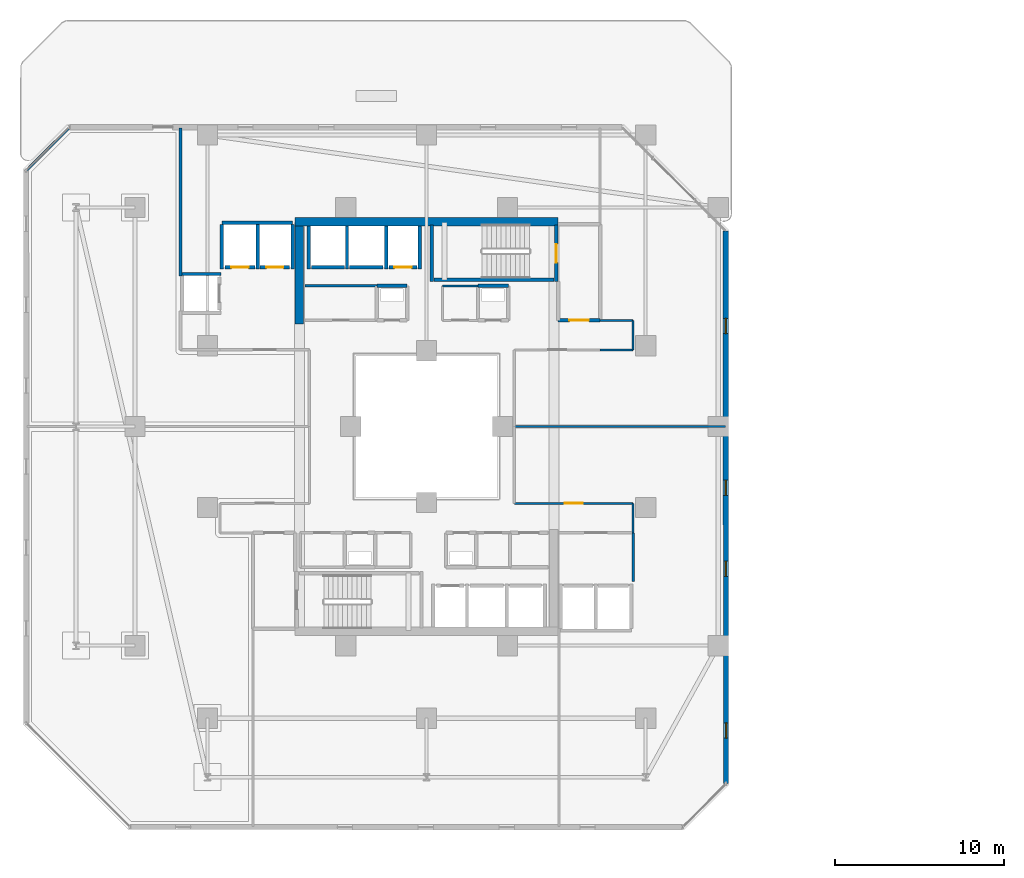
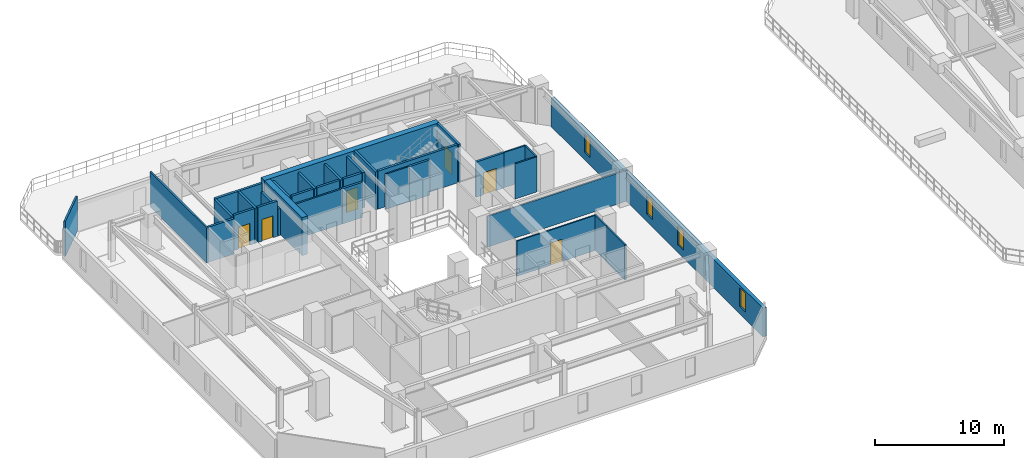
# One storey, part 20 of 31: 34 walls, 6 doors, 4 windows, 10 openings.
"""IFC4 building model written with IfcOpenShell, lengths in metres."""

from ifc_helpers import new_model, si_unit, direction, frame, frame_2d, origin, place, context, subcontext, project, spatial, rectangle, extrude, material, layer, layer_set, type_object, element, fill, save


model = new_model("IFC4")

# Units and contexts
model_context = context("Model", 3, precision=1e-05, world=origin(), true_north=direction((0.0, 1.0)))
body_context = subcontext(model_context, "Body", "Model", "MODEL_VIEW")
ifc_project = project(units=[si_unit("LENGTHUNIT", "METRE"), si_unit("AREAUNIT", "SQUARE_METRE"), si_unit("VOLUMEUNIT", "CUBIC_METRE"), si_unit("PLANEANGLEUNIT", "RADIAN"), si_unit("MASSUNIT", "GRAM", prefix="KILO")], contexts=[model_context])

# Site, building, storey
site_placement = place(None, origin())
site = spatial("IfcSite", under=ifc_project, at=site_placement, CompositionType="ELEMENT")
building_placement = place(site_placement, origin())
building = spatial("IfcBuilding", under=site, at=building_placement, Name="Thornwick Lancets Civic Towers", CompositionType="ELEMENT")
storey_placement = place(building_placement, frame((0.0, 0.0, 119.699951171875)))
storey = spatial("IfcBuildingStorey", under=building, at=storey_placement, Name="L31", CompositionType="ELEMENT", Elevation=119.699951171875)

# Wall, opening, door
ifc_material_1 = material(Name="Concrete blockwork C40/50", Category="masonry")
ifc_layer_1 = layer(ifc_material_1, 0.199951171875, Name="Concrete blockwork C40/50")
ifc_layer_set_1 = layer_set([ifc_layer_1], Name="Concrete blockwork C40/50")
wall_type_1 = type_object("IfcWallType", Name="WALL_COMP_200", PredefinedType="STANDARD", material=ifc_layer_set_1)
wall_1_placement = place(storey_placement, frame((24.919921875, 36.449951171875, 0.0), z_axis=(0.0, 0.0, 1.0), x_axis=(-1.0, 0.0, 0.0)))
wall_1 = element("IfcWall", 1, at=wall_1_placement, inside=storey, type_object=wall_type_1, Name="L31 Hoistway Front Wall FL-A2", PredefinedType="STANDARD", context=body_context, shape_type="SweptSolid", body=[
    extrude(rectangle(XDim=1.639892578125, YDim=0.199951171875, at=frame_2d((0.81982421875, 0.0))), origin(), (0.0, 0.0, 1.0), 3.320068359375),
])
opening_1_placement = place(wall_1_placement, frame((0.31005859375, 0.0, 0.0)))
opening_1 = element("IfcOpeningElement", 2, at=opening_1_placement, cuts=wall_1, Name="Opening LD-FL-A2", PredefinedType="OPENING", context=body_context, shape_type="SweptSolid", body=[
    extrude(rectangle(XDim=1.02001953125, YDim=2.06005859375, at=frame_2d((0.510009765625, 1.030029296875))), frame((0.0, 0.10986328125, 0.0), z_axis=(0.0, -1.0, 0.0), x_axis=(1.0, 0.0, 0.0)), (0.0, 0.0, 1.0), 0.219970703125),
])
ifc_material_2 = material(Name="Brushed bronze stainless steel", Category="steel")
door_type_1 = type_object("IfcDoorType", Name="DOOR_LIFT_SLIDE", OperationType="SLIDING_TO_LEFT", PredefinedType="DOOR", material=ifc_material_2)
door_1_placement = place(opening_1_placement, origin())
door_1 = element("IfcDoor", 3, at=door_1_placement, inside=storey, type_object=door_type_1, Name="L31 Sliding Lift Landing Door LD-FL-A2", OperationType="SLIDING_TO_LEFT", OverallHeight=2.06005859375, OverallWidth=1.02001953125, PredefinedType="DOOR", context=body_context, shape_type="SweptSolid", body=[
    extrude(rectangle(XDim=1.02001953125, YDim=2.06005859375, at=frame_2d((0.510009765625, 1.030029296875))), frame((0.0, 0.02490234375, 0.0), z_axis=(0.0, -1.0, 0.0), x_axis=(1.0, 0.0, 0.0)), (0.0, 0.0, 1.0), 0.050048828125),
])
fill(opening_1, door_1)

# Walls
wall_2_placement = place(storey_placement, frame((22.919921875, 36.449951171875, 0.0), z_axis=(0.0, 0.0, 1.0), x_axis=(-1.0, 0.0, 0.0)))
element("IfcWall", 4, at=wall_2_placement, inside=storey, type_object=wall_type_1, Name="L31 Hoistway Front Wall PL-AH2", PredefinedType="STANDARD", context=body_context, shape_type="SweptSolid", body=[
    extrude(rectangle(XDim=1.989990234375, YDim=0.199951171875, at=frame_2d((0.9951171875, 0.0))), origin(), (0.0, 0.0, 1.0), 3.320068359375),
])
wall_3_placement = place(storey_placement, frame((20.6201171875, 36.449951171875, 0.0), z_axis=(0.0, 0.0, 1.0), x_axis=(-1.0, 0.0, 0.0)))
element("IfcWall", 5, at=wall_3_placement, inside=storey, type_object=wall_type_1, Name="L31 Hoistway Front Wall PL-AH3", PredefinedType="STANDARD", context=body_context, shape_type="SweptSolid", body=[
    extrude(rectangle(XDim=1.940185546875, YDim=0.199951171875, at=frame_2d((0.97021484375, 0.0))), origin(), (0.0, 0.0, 1.0), 3.320068359375),
])

# Wall, opening, door
wall_4_placement = place(storey_placement, frame((17.3701171875, 36.449951171875, 0.0), z_axis=(0.0, 0.0, 1.0), x_axis=(-1.0, 0.0, 0.0)))
wall_4 = element("IfcWall", 6, at=wall_4_placement, inside=storey, type_object=wall_type_1, Name="L31 Hoistway Front Wall PL-AM1", PredefinedType="STANDARD", context=body_context, shape_type="SweptSolid", body=[
    extrude(rectangle(XDim=1.740234375, YDim=0.199951171875, at=frame_2d((0.8701171875, 0.0))), origin(), (0.0, 0.0, 1.0), 3.320068359375),
])
opening_2_placement = place(wall_4_placement, frame((0.360107421875, 0.0, 0.0)))
opening_2 = element("IfcOpeningElement", 7, at=opening_2_placement, cuts=wall_4, Name="Opening LD-PL-AM1", PredefinedType="OPENING", context=body_context, shape_type="SweptSolid", body=[
    extrude(rectangle(XDim=1.02001953125, YDim=2.06005859375, at=frame_2d((0.510009765625, 1.030029296875))), frame((0.0, 0.10986328125, 0.0), z_axis=(0.0, -1.0, 0.0), x_axis=(1.0, 0.0, 0.0)), (0.0, 0.0, 1.0), 0.219970703125),
])
door_2_placement = place(opening_2_placement, origin())
door_2 = element("IfcDoor", 8, at=door_2_placement, inside=storey, type_object=door_type_1, Name="L31 Sliding Lift Landing Door LD-PL-AM1", OperationType="SLIDING_TO_LEFT", OverallHeight=2.06005859375, OverallWidth=1.02001953125, PredefinedType="DOOR", context=body_context, shape_type="SweptSolid", body=[
    extrude(rectangle(XDim=1.02001953125, YDim=2.06005859375, at=frame_2d((0.510009765625, 1.030029296875))), frame((0.0, 0.02490234375, 0.0), z_axis=(0.0, -1.0, 0.0), x_axis=(1.0, 0.0, 0.0)), (0.0, 0.0, 1.0), 0.050048828125),
])
fill(opening_2, door_2)

wall_5_placement = place(storey_placement, frame((15.320068359375, 36.449951171875, 0.0), z_axis=(0.0, 0.0, 1.0), x_axis=(-1.0, 0.0, 0.0)))
wall_5 = element("IfcWall", 9, at=wall_5_placement, inside=storey, type_object=wall_type_1, Name="L31 Hoistway Front Wall PL-AM2", PredefinedType="STANDARD", context=body_context, shape_type="SweptSolid", body=[
    extrude(rectangle(XDim=1.7900390625, YDim=0.199951171875, at=frame_2d((0.89501953125, 0.0))), origin(), (0.0, 0.0, 1.0), 3.320068359375),
])
opening_3_placement = place(wall_5_placement, frame((0.385009765625, 0.0, 0.0)))
opening_3 = element("IfcOpeningElement", 10, at=opening_3_placement, cuts=wall_5, Name="Opening LD-PL-AM2", PredefinedType="OPENING", context=body_context, shape_type="SweptSolid", body=[
    extrude(rectangle(XDim=1.02001953125, YDim=2.06005859375, at=frame_2d((0.510009765625, 1.030029296875))), frame((0.0, 0.10986328125, 0.0), z_axis=(0.0, -1.0, 0.0), x_axis=(1.0, 0.0, 0.0)), (0.0, 0.0, 1.0), 0.219970703125),
])
door_3_placement = place(opening_3_placement, origin())
door_3 = element("IfcDoor", 11, at=door_3_placement, inside=storey, type_object=door_type_1, Name="L31 Sliding Lift Landing Door LD-PL-AM2", OperationType="SLIDING_TO_LEFT", OverallHeight=2.06005859375, OverallWidth=1.02001953125, PredefinedType="DOOR", context=body_context, shape_type="SweptSolid", body=[
    extrude(rectangle(XDim=1.02001953125, YDim=2.06005859375, at=frame_2d((0.510009765625, 1.030029296875))), frame((0.0, 0.02490234375, 0.0), z_axis=(0.0, -1.0, 0.0), x_axis=(1.0, 0.0, 0.0)), (0.0, 0.0, 1.0), 0.050048828125),
])
fill(opening_3, door_3)

# Walls
for number, where, z_axis, x_axis, name in (
    (12, (25.10009765625, 36.35205078125, 0.0), (0.0, 0.0, 1.0), (0.0, 1.0, 0.0), "L31 Hoistway Shaft Wall FL-A2 E"),
    (13, (23.10009765625, 36.35205078125, 0.0), (0.0, 0.0, 1.0), (0.0, 1.0, 0.0), "L31 Hoistway Shaft Wall FL-A2 W"),
    (14, (20.77490234375, 36.35205078125, 0.0), (0.0, 0.0, 1.0), (0.0, 1.0, 0.0), "L31 Hoistway Shaft Wall PL-AH2 W"),
    (15, (18.5, 36.35205078125, 0.0), (0.0, 0.0, 1.0), (0.0, 1.0, 0.0), "L31 Hoistway Shaft Wall PL-AH3 W"),
):
    element("IfcWall", number, at=place(storey_placement, frame(where, z_axis=z_axis, x_axis=x_axis)), inside=storey, type_object=wall_type_1, Name=name, PredefinedType="STANDARD", context=body_context, shape_type="SweptSolid", body=[
        extrude(rectangle(XDim=2.535888671875, YDim=0.199951171875, at=frame_2d((1.26806640625, 0.0))), origin(), (0.0, 0.0, 1.0), 3.320068359375),
    ])
wall_6_placement = place(storey_placement, frame((13.35205078125, 39.10009765625, 0.0), z_axis=(0.0, 0.0, 1.0), x_axis=(1.0, 0.0, 0.0)))
element("IfcWall", 16, at=wall_6_placement, inside=storey, type_object=wall_type_1, Name="L31 Hoistway Shaft Wall PL-AM1 N", PredefinedType="STANDARD", context=body_context, shape_type="SweptSolid", body=[
    extrude(rectangle(XDim=4.196044921875, YDim=0.199951171875, at=frame_2d((2.09814453125, 0.0))), origin(), (0.0, 0.0, 1.0), 3.320068359375),
])
wall_7_placement = place(storey_placement, frame((17.550048828125, 36.35205078125, 0.0), z_axis=(0.0, 0.0, 1.0), x_axis=(0.0, 1.0, 0.0)))
element("IfcWall", 17, at=wall_7_placement, inside=storey, type_object=wall_type_1, Name="L31 Hoistway Shaft Wall PL-AM1 E", PredefinedType="STANDARD", context=body_context, shape_type="SweptSolid", body=[
    extrude(rectangle(XDim=2.635986328125, YDim=0.199951171875, at=frame_2d((1.31787109375, 0.0))), origin(), (0.0, 0.0, 1.0), 2.525146484375),
])
for number, where, z_axis, x_axis, name in (
    (18, (15.47509765625, 36.35205078125, 0.0), (0.0, 0.0, 1.0), (0.0, 1.0, 0.0), "L31 Hoistway Shaft Wall PL-AM1 W"),
    (19, (13.35009765625, 36.35205078125, 0.0), (0.0, 0.0, 1.0), (0.0, 1.0, 0.0), "L31 Hoistway Shaft Wall PL-AM2 W"),
):
    element("IfcWall", number, at=place(storey_placement, frame(where, z_axis=z_axis, x_axis=x_axis)), inside=storey, type_object=wall_type_1, Name=name, PredefinedType="STANDARD", context=body_context, shape_type="SweptSolid", body=[
        extrude(rectangle(XDim=2.635986328125, YDim=0.199951171875, at=frame_2d((1.31787109375, 0.0))), origin(), (0.0, 0.0, 1.0), 3.320068359375),
    ])
wall_8_placement = place(storey_placement, frame((11.001953125, 36.050048828125, 0.0), z_axis=(0.0, 0.0, 1.0), x_axis=(1.0, 0.0, 0.0)))
element("IfcWall", 20, at=wall_8_placement, inside=storey, type_object=wall_type_1, Name="L31 Hoistway Shaft Wall PL-AM3 N", PredefinedType="STANDARD", context=body_context, shape_type="SweptSolid", body=[
    extrude(rectangle(XDim=2.296142578125, YDim=0.199951171875, at=frame_2d((1.14794921875, 0.0))), origin(), (0.0, 0.0, 1.0), 3.320068359375),
])

# Wall, opening, door
wall_9_placement = place(storey_placement, frame((33.300048828125, 33.300048828125, 0.0), z_axis=(0.0, 0.0, 1.0), x_axis=(1.0, 0.0, 0.0)))
wall_9 = element("IfcWall", 21, at=wall_9_placement, inside=storey, type_object=wall_type_1, Name="L31 Partition L31-A-FFLOB2 E1", PredefinedType="STANDARD", context=body_context, shape_type="SweptSolid", body=[
    extrude(rectangle(XDim=2.5, YDim=0.199951171875, at=frame_2d((1.25, 0.0))), origin(), (0.0, 0.0, 1.0), 3.320068359375),
])
opening_4_placement = place(wall_9_placement, frame((0.675048828125, 0.0, 0.0)))
opening_4 = element("IfcOpeningElement", 22, at=opening_4_placement, cuts=wall_9, Name="Opening D-L31-1420", PredefinedType="OPENING", context=body_context, shape_type="SweptSolid", body=[
    extrude(rectangle(XDim=1.14990234375, YDim=2.10009765625, at=frame_2d((0.574951171875, 1.050048828125))), frame((0.0, 0.10986328125, 0.0), z_axis=(0.0, -1.0, 0.0), x_axis=(1.0, 0.0, 0.0)), (0.0, 0.0, 1.0), 0.219970703125),
])
ifc_material_3 = material(Name="Glazed fire-resisting steel", Category="steel")
door_type_2 = type_object("IfcDoorType", Name="DOOR_LOBBY_FD60", OperationType="NOTDEFINED", PredefinedType="DOOR", material=ifc_material_3)
door_4_placement = place(opening_4_placement, origin())
door_4 = element("IfcDoor", 23, at=door_4_placement, inside=storey, type_object=door_type_2, Name="L31 North Firefighting Lobby 2 Door", OperationType="SINGLE_SWING_LEFT", OverallHeight=2.10009765625, OverallWidth=1.14990234375, PredefinedType="DOOR", context=body_context, shape_type="SweptSolid", body=[
    extrude(rectangle(XDim=1.14990234375, YDim=2.10009765625, at=frame_2d((0.574951171875, 1.050048828125))), frame((0.0, 0.02490234375, 0.0), z_axis=(0.0, -1.0, 0.0), x_axis=(1.0, 0.0, 0.0)), (0.0, 0.0, 1.0), 0.050048828125),
])
fill(opening_4, door_4)

# Walls
for number, where, z_axis, x_axis, name in (
    (24, (24.35009765625, 35.35009765625, 0.0), (0.0, 0.0, 1.0), (-1.0, 0.0, 0.0), "L31 Partition L31-A-DUCT2 E3"),
    (25, (30.35009765625, 35.35009765625, 0.0), (0.0, 0.0, 1.0), (-1.0, 0.0, 0.0), "L31 Partition L31-A-RISER2 E3"),
):
    element("IfcWall", number, at=place(storey_placement, frame(where, z_axis=z_axis, x_axis=x_axis)), inside=storey, type_object=wall_type_1, Name=name, PredefinedType="STANDARD", context=body_context, shape_type="SweptSolid", body=[
        extrude(rectangle(XDim=1.800048828125, YDim=0.199951171875, at=frame_2d((0.89990234375, 0.0))), origin(), (0.0, 0.0, 1.0), 3.320068359375),
    ])
ifc_material_4 = material(Name="Concrete C50/60", Category="concrete")
ifc_layer_2 = layer(ifc_material_4, 0.5, Name="Concrete C50/60")
ifc_layer_set_2 = layer_set([ifc_layer_2], Name="Concrete C50/60")
wall_type_2 = type_object("IfcWallType", Name="WALL_CORE_500", PredefinedType="SHEAR", material=ifc_layer_set_2)
wall_10_placement = place(storey_placement, frame((17.699951171875, 39.14990234375, 0.0), z_axis=(0.0, 0.0, 1.0), x_axis=(1.0, 0.0, 0.0)))
element("IfcWall", 26, at=wall_10_placement, inside=storey, type_object=wall_type_2, Name="L31 Split Core A2 Shear Wall N", PredefinedType="SHEAR", context=body_context, shape_type="SweptSolid", body=[
    extrude(rectangle(XDim=15.60009765625, YDim=0.5, at=frame_2d((7.800048828125, 0.0))), origin(), (0.0, 0.0, 1.0), 3.60009765625),
])
wall_11_placement = place(storey_placement, frame((17.949951171875, 33.10009765625, 0.0), z_axis=(0.0, 0.0, 1.0), x_axis=(0.0, 1.0, 0.0)))
element("IfcWall", 27, at=wall_11_placement, inside=storey, type_object=wall_type_2, Name="L31 Split Core A2 Shear Wall W", PredefinedType="SHEAR", context=body_context, shape_type="SweptSolid", body=[
    extrude(rectangle(XDim=5.7998046875, YDim=0.5, at=frame_2d((2.89990234375, 0.0))), origin(), (0.0, 0.0, 1.0), 3.60009765625),
])

# Wall, openings, windows
ifc_material_5 = material(Name="Insulated buff terracotta rainscreen on concrete C40/50", Category="masonry")
ifc_layer_3 = layer(ifc_material_5, 0.320068359375, Name="Insulated buff terracotta rainscreen on concrete C40/50")
ifc_layer_set_3 = layer_set([ifc_layer_3], Name="Insulated buff terracotta rainscreen on concrete C40/50")
wall_type_3 = type_object("IfcWallType", Name="WALL_EXT_TERRA_320", PredefinedType="STANDARD", material=ifc_layer_set_3)
wall_12_placement = place(storey_placement, frame((43.2646484375, 5.818603515625, 0.0), z_axis=(0.0, 0.0, 1.0), x_axis=(-0.000364968916, 0.999999933399, 0.0)))
wall_12 = element("IfcWall", 28, at=wall_12_placement, inside=storey, type_object=wall_type_3, Name="L31 Tower A Terracotta Facade Wall E2", PredefinedType="STANDARD", context=body_context, shape_type="SweptSolid", body=[
    extrude(rectangle(XDim=32.77783203125, YDim=0.320068359375, at=frame_2d((16.388916015625, 0.0))), origin(), (0.0, 0.0, 1.0), 2.699951171875),
])
opening_5_placement = place(wall_12_placement, frame((2.699951171875, 0.0, 0.719970703125)))
opening_5 = element("IfcOpeningElement", 29, at=opening_5_placement, cuts=wall_12, Name="Opening WL-01", PredefinedType="OPENING", context=body_context, shape_type="SweptSolid", body=[
    extrude(rectangle(XDim=0.89990234375, YDim=1.75, at=frame_2d((0.449951171875, 0.875))), frame((0.0, 0.169921875, 0.0), z_axis=(0.0, -1.0, 0.0), x_axis=(1.0, 0.0, 0.0)), (0.0, 0.0, 1.0), 0.340087890625),
])
opening_6_placement = place(wall_12_placement, frame((12.300048828125, 0.0, 0.719970703125)))
opening_6 = element("IfcOpeningElement", 30, at=opening_6_placement, cuts=wall_12, Name="Opening WL-01", PredefinedType="OPENING", context=body_context, shape_type="SweptSolid", body=[
    extrude(rectangle(XDim=0.89990234375, YDim=1.75, at=frame_2d((0.449951171875, 0.875))), frame((0.0, 0.169921875, 0.0), z_axis=(0.0, -1.0, 0.0), x_axis=(1.0, 0.0, 0.0)), (0.0, 0.0, 1.0), 0.340087890625),
])
opening_7_placement = place(wall_12_placement, frame((17.10009765625, 0.0, 0.719970703125)))
opening_7 = element("IfcOpeningElement", 31, at=opening_7_placement, cuts=wall_12, Name="Opening WL-01", PredefinedType="OPENING", context=body_context, shape_type="SweptSolid", body=[
    extrude(rectangle(XDim=0.89990234375, YDim=1.75, at=frame_2d((0.449951171875, 0.875))), frame((0.0, 0.169921875, 0.0), z_axis=(0.0, -1.0, 0.0), x_axis=(1.0, 0.0, 0.0)), (0.0, 0.0, 1.0), 0.340087890625),
])
opening_8_placement = place(wall_12_placement, frame((26.699951171875, 0.0, 0.719970703125)))
opening_8 = element("IfcOpeningElement", 32, at=opening_8_placement, cuts=wall_12, Name="Opening WL-01", PredefinedType="OPENING", context=body_context, shape_type="SweptSolid", body=[
    extrude(rectangle(XDim=0.89990234375, YDim=1.75, at=frame_2d((0.449951171875, 0.875))), frame((0.0, 0.169921875, 0.0), z_axis=(0.0, -1.0, 0.0), x_axis=(1.0, 0.0, 0.0)), (0.0, 0.0, 1.0), 0.340087890625),
])
ifc_material_6 = material(Name="Clear low-e double glazing in bronze frame", Category="glass")
window_type = type_object("IfcWindowType", Name="WIN_LANCET_900", PartitioningType="SINGLE_PANEL", PredefinedType="WINDOW", material=ifc_material_6)
window_1_placement = place(opening_5_placement, origin())
window_1 = element("IfcWindow", 33, at=window_1_placement, inside=storey, type_object=window_type, Name="L31 Tower A Staggered Lancet Window E2-1", OverallHeight=1.75, OverallWidth=0.89990234375, PartitioningType="SINGLE_PANEL", PredefinedType="WINDOW", context=body_context, shape_type="SweptSolid", body=[
    extrude(rectangle(XDim=0.89990234375, YDim=1.75, at=frame_2d((0.449951171875, 0.875))), frame((0.0, 0.030029296875, 0.0), z_axis=(0.0, -1.0, 0.0), x_axis=(1.0, 0.0, 0.0)), (0.0, 0.0, 1.0), 0.06005859375),
])
fill(opening_5, window_1)
window_2_placement = place(opening_6_placement, origin())
window_2 = element("IfcWindow", 34, at=window_2_placement, inside=storey, type_object=window_type, Name="L31 Tower A Staggered Lancet Window E2-2", OverallHeight=1.75, OverallWidth=0.89990234375, PartitioningType="SINGLE_PANEL", PredefinedType="WINDOW", context=body_context, shape_type="SweptSolid", body=[
    extrude(rectangle(XDim=0.89990234375, YDim=1.75, at=frame_2d((0.449951171875, 0.875))), frame((0.0, 0.030029296875, 0.0), z_axis=(0.0, -1.0, 0.0), x_axis=(1.0, 0.0, 0.0)), (0.0, 0.0, 1.0), 0.06005859375),
])
fill(opening_6, window_2)
window_3_placement = place(opening_7_placement, origin())
window_3 = element("IfcWindow", 35, at=window_3_placement, inside=storey, type_object=window_type, Name="L31 Tower A Staggered Lancet Window E2-3", OverallHeight=1.75, OverallWidth=0.89990234375, PartitioningType="SINGLE_PANEL", PredefinedType="WINDOW", context=body_context, shape_type="SweptSolid", body=[
    extrude(rectangle(XDim=0.89990234375, YDim=1.75, at=frame_2d((0.449951171875, 0.875))), frame((0.0, 0.030029296875, 0.0), z_axis=(0.0, -1.0, 0.0), x_axis=(1.0, 0.0, 0.0)), (0.0, 0.0, 1.0), 0.06005859375),
])
fill(opening_7, window_3)
window_4_placement = place(opening_8_placement, origin())
window_4 = element("IfcWindow", 36, at=window_4_placement, inside=storey, type_object=window_type, Name="L31 Tower A Staggered Lancet Window E2-4", OverallHeight=1.75, OverallWidth=0.89990234375, PartitioningType="SINGLE_PANEL", PredefinedType="WINDOW", context=body_context, shape_type="SweptSolid", body=[
    extrude(rectangle(XDim=0.89990234375, YDim=1.75, at=frame_2d((0.449951171875, 0.875))), frame((0.0, 0.030029296875, 0.0), z_axis=(0.0, -1.0, 0.0), x_axis=(1.0, 0.0, 0.0)), (0.0, 0.0, 1.0), 0.06005859375),
])
fill(opening_8, window_4)

# Walls
ifc_material_7 = material(Name="Acoustic gypsum board partition")
ifc_layer_4 = layer(ifc_material_7, 0.1201171875, Name="Acoustic gypsum board partition")
ifc_layer_set_4 = layer_set([ifc_layer_4], Name="Acoustic gypsum board partition")
wall_type_4 = type_object("IfcWallType", Name="WALL_PART_120", PredefinedType="PARTITIONING", material=ifc_layer_set_4)
wall_13_placement = place(storey_placement, frame((26.449951171875, 35.35009765625, 0.0), z_axis=(0.0, 0.0, 1.0), x_axis=(1.0, 0.0, 0.0)))
element("IfcWall", 37, at=wall_13_placement, inside=storey, type_object=wall_type_4, Name="L31 Partition L31-A-ITR E2", PredefinedType="PARTITIONING", context=body_context, shape_type="SweptSolid", body=[
    extrude(rectangle(XDim=2.10009765625, YDim=0.1201171875, at=frame_2d((1.050048828125, 0.0))), origin(), (0.0, 0.0, 1.0), 3.320068359375),
])
wall_14_placement = place(storey_placement, frame((37.75, 20.699951171875, 0.0), z_axis=(0.0, 0.0, 1.0), x_axis=(0.0, 1.0, 0.0)))
element("IfcWall", 38, at=wall_14_placement, inside=storey, type_object=wall_type_4, Name="L31 Partition L31-A-E1 E5", PredefinedType="PARTITIONING", context=body_context, shape_type="SweptSolid", body=[
    extrude(rectangle(XDim=1.75, YDim=0.1201171875, at=frame_2d((0.875, 0.0))), origin(), (0.0, 0.0, 1.0), 3.320068359375),
])

# Wall, opening, door
wall_15_placement = place(storey_placement, frame((37.75, 22.449951171875, 0.0), z_axis=(0.0, 0.0, 1.0), x_axis=(-1.0, 0.0, 0.0)))
wall_15 = element("IfcWall", 39, at=wall_15_placement, inside=storey, type_object=wall_type_4, Name="L31 Partition L31-A-E1 E6", PredefinedType="PARTITIONING", context=body_context, shape_type="SweptSolid", body=[
    extrude(rectangle(XDim=7.050048828125, YDim=0.1201171875, at=frame_2d((3.52490234375, 0.0))), origin(), (0.0, 0.0, 1.0), 3.320068359375),
])
opening_9_placement = place(wall_15_placement, frame((3.0, 0.0, 0.0)))
opening_9 = element("IfcOpeningElement", 40, at=opening_9_placement, cuts=wall_15, Name="Opening D-L31-1446", PredefinedType="OPENING", context=body_context, shape_type="SweptSolid", body=[
    extrude(rectangle(XDim=1.050048828125, YDim=2.10009765625, at=frame_2d((0.52490234375, 1.050048828125))), frame((0.0, 0.070068359375, 0.0), z_axis=(0.0, -1.0, 0.0), x_axis=(1.0, 0.0, 0.0)), (0.0, 0.0, 1.0), 0.14013671875),
])
ifc_material_8 = material(Name="Glazed European oak executive doorset")
door_type_3 = type_object("IfcDoorType", Name="DOOR_OFFICE_1050", OperationType="NOTDEFINED", PredefinedType="DOOR", material=ifc_material_8)
door_5_placement = place(opening_9_placement, origin())
door_5 = element("IfcDoor", 41, at=door_5_placement, inside=storey, type_object=door_type_3, Name="L31 Tower A Secretariat Open Office E1 Door", OperationType="SINGLE_SWING_LEFT", OverallHeight=2.10009765625, OverallWidth=1.050048828125, PredefinedType="DOOR", context=body_context, shape_type="SweptSolid", body=[
    extrude(rectangle(XDim=1.050048828125, YDim=2.10009765625, at=frame_2d((0.52490234375, 1.050048828125))), frame((0.0, 0.02490234375, 0.0), z_axis=(0.0, -1.0, 0.0), x_axis=(1.0, 0.0, 0.0)), (0.0, 0.0, 1.0), 0.050048828125),
])
fill(opening_9, door_5)

# Walls
wall_16_placement = place(storey_placement, frame((30.699951171875, 27.0, 0.0), z_axis=(0.0, 0.0, 1.0), x_axis=(1.0, 0.0, 0.0)))
element("IfcWall", 42, at=wall_16_placement, inside=storey, type_object=wall_type_4, Name="L31 Partition L31-A-E1 E8", PredefinedType="PARTITIONING", context=body_context, shape_type="SweptSolid", body=[
    extrude(rectangle(XDim=12.52001953125, YDim=0.1201171875, at=frame_2d((6.260009765625, 0.0))), origin(), (0.0, 0.0, 1.0), 2.912353515625),
])
wall_17_placement = place(storey_placement, frame((35.800048828125, 31.550048828125, 0.0), z_axis=(0.0, 0.0, 1.0), x_axis=(1.0, 0.0, 0.0)))
element("IfcWall", 43, at=wall_17_placement, inside=storey, type_object=wall_type_4, Name="L31 Partition L31-A-E3 E2", PredefinedType="PARTITIONING", context=body_context, shape_type="SweptSolid", body=[
    extrude(rectangle(XDim=1.949951171875, YDim=0.1201171875, at=frame_2d((0.97509765625, 0.0))), origin(), (0.0, 0.0, 1.0), 3.320068359375),
])
wall_18_placement = place(storey_placement, frame((37.75, 31.550048828125, 0.0), z_axis=(0.0, 0.0, 1.0), x_axis=(0.0, 1.0, 0.0)))
element("IfcWall", 44, at=wall_18_placement, inside=storey, type_object=wall_type_4, Name="L31 Partition L31-A-E3 E3", PredefinedType="PARTITIONING", context=body_context, shape_type="SweptSolid", body=[
    extrude(rectangle(XDim=1.75, YDim=0.1201171875, at=frame_2d((0.875, 0.0))), origin(), (0.0, 0.0, 1.0), 3.320068359375),
])
wall_19_placement = place(storey_placement, frame((37.75, 33.300048828125, 0.0), z_axis=(0.0, 0.0, 1.0), x_axis=(-1.0, 0.0, 0.0)))
element("IfcWall", 45, at=wall_19_placement, inside=storey, type_object=wall_type_4, Name="L31 Partition L31-A-E3 E4", PredefinedType="PARTITIONING", context=body_context, shape_type="SweptSolid", body=[
    extrude(rectangle(XDim=1.949951171875, YDim=0.1201171875, at=frame_2d((0.97509765625, 0.0))), origin(), (0.0, 0.0, 1.0), 3.320068359375),
])
ifc_material_9 = material(Name="Twin-stud acoustic gypsum board")
ifc_layer_5 = layer(ifc_material_9, 0.14990234375, Name="Twin-stud acoustic gypsum board")
ifc_layer_set_5 = layer_set([ifc_layer_5], Name="Twin-stud acoustic gypsum board")
wall_type_5 = type_object("IfcWallType", Name="WALL_PART_150", PredefinedType="PARTITIONING", material=ifc_layer_set_5)
wall_20_placement = place(storey_placement, frame((18.300048828125, 35.35009765625, 0.0), z_axis=(0.0, 0.0, 1.0), x_axis=(1.0, 0.0, 0.0)))
element("IfcWall", 46, at=wall_20_placement, inside=storey, type_object=wall_type_5, Name="L31 Partition L31-A-FWC E2", PredefinedType="PARTITIONING", context=body_context, shape_type="SweptSolid", body=[
    extrude(rectangle(XDim=4.25, YDim=0.14990234375, at=frame_2d((2.125, 0.0))), origin(), (0.0, 0.0, 1.0), 3.320068359375),
])
wall_21_placement = place(storey_placement, frame((37.75, 20.699951171875, 0.0), z_axis=(0.0, 0.0, 1.0), x_axis=(0.0, -1.0, 0.0)))
element("IfcWall", 47, at=wall_21_placement, inside=storey, type_object=wall_type_5, Name="L31 Partition L31-A-L31-SE-STUDY E4", PredefinedType="PARTITIONING", context=body_context, shape_type="SweptSolid", body=[
    extrude(rectangle(XDim=2.89990234375, YDim=0.14990234375, at=frame_2d((1.449951171875, 0.0))), origin(), (0.0, 0.0, 1.0), 3.320068359375),
])
wall_22_placement = place(storey_placement, frame((1.780029296875, 42.225341796875, 0.0), z_axis=(0.0, 0.0, 1.0), x_axis=(0.707106781187, 0.707106781187, 0.0)))
element("IfcWall", 48, at=wall_22_placement, inside=storey, type_object=wall_type_5, Name="L31 Partition L31-A-W2 E5", PredefinedType="PARTITIONING", context=body_context, shape_type="SweptSolid", body=[
    extrude(rectangle(XDim=3.52783203125, YDim=0.14990234375, at=frame_2d((1.763916015625, 0.0))), origin(), (0.0, 0.0, 1.0), 3.320068359375),
])
wall_23_placement = place(storey_placement, frame((10.89990234375, 44.719970703125, 0.0), z_axis=(0.0, 0.0, 1.0), x_axis=(0.0, -1.0, 0.0)))
element("IfcWall", 49, at=wall_23_placement, inside=storey, type_object=wall_type_5, Name="L31 Partition L31-A-W2 E7", PredefinedType="PARTITIONING", context=body_context, shape_type="SweptSolid", body=[
    extrude(rectangle(XDim=8.781982421875, YDim=0.14990234375, at=frame_2d((4.39111328125, 0.0))), origin(), (0.0, 0.0, 1.0), 3.320068359375),
])

# Wall, opening, door
ifc_material_10 = material(Name="Concrete C40/50", Category="concrete")
ifc_layer_6 = layer(ifc_material_10, 0.199951171875, Name="Concrete C40/50")
ifc_layer_set_6 = layer_set([ifc_layer_6], Name="Concrete C40/50")
wall_type_6 = type_object("IfcWallType", Name="WALL_SHAFT_200", PredefinedType="SHEAR", material=ifc_layer_set_6)
wall_24_placement = place(storey_placement, frame((33.199951171875, 38.949951171875, 0.0), z_axis=(0.0, 0.0, 1.0), x_axis=(0.0, -1.0, 0.0)))
wall_24 = element("IfcWall", 50, at=wall_24_placement, inside=storey, type_object=wall_type_6, Name="L31 ST-A2 Fire Stair Core Wall NEAR", PredefinedType="SHEAR", context=body_context, shape_type="SweptSolid", body=[
    extrude(rectangle(XDim=3.349853515625, YDim=0.199951171875, at=frame_2d((1.6748046875, 0.0))), origin(), (0.0, 0.0, 1.0), 3.60009765625),
])
opening_10_placement = place(wall_24_placement, frame((1.125, 0.0, 0.0)))
opening_10 = element("IfcOpeningElement", 51, at=opening_10_placement, cuts=wall_24, Name="Opening D-ST-A2-L31", PredefinedType="OPENING", context=body_context, shape_type="SweptSolid", body=[
    extrude(rectangle(XDim=1.10009765625, YDim=2.10009765625, at=frame_2d((0.550048828125, 1.050048828125))), frame((0.0, 0.10986328125, 0.0), z_axis=(0.0, -1.0, 0.0), x_axis=(1.0, 0.0, 0.0)), (0.0, 0.0, 1.0), 0.219970703125),
])
ifc_material_11 = material(Name="Fire-resisting steel and hardwood", Category="steel")
door_type_4 = type_object("IfcDoorType", Name="DOOR_STAIR_FD60", OperationType="NOTDEFINED", PredefinedType="DOOR", material=ifc_material_11)
door_6_placement = place(opening_10_placement, origin())
door_6 = element("IfcDoor", 52, at=door_6_placement, inside=storey, type_object=door_type_4, Name="L31 ST-A2 Exit Stair Door", OperationType="SINGLE_SWING_LEFT", OverallHeight=2.10009765625, OverallWidth=1.10009765625, PredefinedType="DOOR", context=body_context, shape_type="SweptSolid", body=[
    extrude(rectangle(XDim=1.10009765625, YDim=2.10009765625, at=frame_2d((0.550048828125, 1.050048828125))), frame((0.0, 0.02490234375, 0.0), z_axis=(0.0, -1.0, 0.0), x_axis=(1.0, 0.0, 0.0)), (0.0, 0.0, 1.0), 0.050048828125),
])
fill(opening_10, door_6)

# Walls
wall_25_placement = place(storey_placement, frame((25.800048828125, 35.60009765625, 0.0), z_axis=(0.0, 0.0, 1.0), x_axis=(0.0, 1.0, 0.0)))
element("IfcWall", 53, at=wall_25_placement, inside=storey, type_object=wall_type_6, Name="L31 ST-A2 Fire Stair Core Wall FAR", PredefinedType="SHEAR", context=body_context, shape_type="SweptSolid", body=[
    extrude(rectangle(XDim=3.349853515625, YDim=0.199951171875, at=frame_2d((1.6748046875, 0.0))), origin(), (0.0, 0.0, 1.0), 3.60009765625),
])
wall_26_placement = place(storey_placement, frame((25.949951171875, 35.702880859375, 0.0), z_axis=(0.0, 0.0, 1.0), x_axis=(1.0, 0.0, 0.0)))
element("IfcWall", 54, at=wall_26_placement, inside=storey, type_object=wall_type_6, Name="L31 ST-A2 Fire Stair Core Wall RIGHT", PredefinedType="SHEAR", context=body_context, shape_type="SweptSolid", body=[
    extrude(rectangle(XDim=7.10009765625, YDim=0.199951171875, at=frame_2d((3.550048828125, 0.0))), origin(), (0.0, 0.0, 1.0), 3.60009765625),
])

save(model, "model.ifc")
